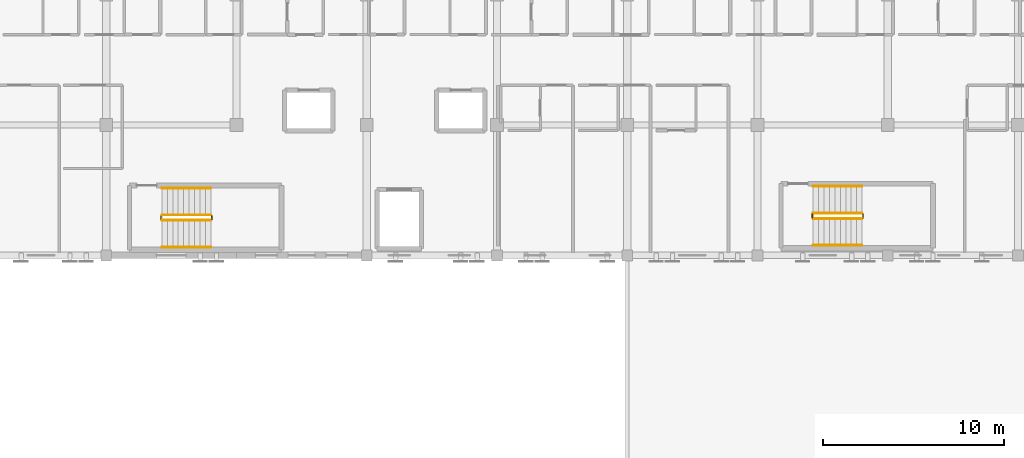
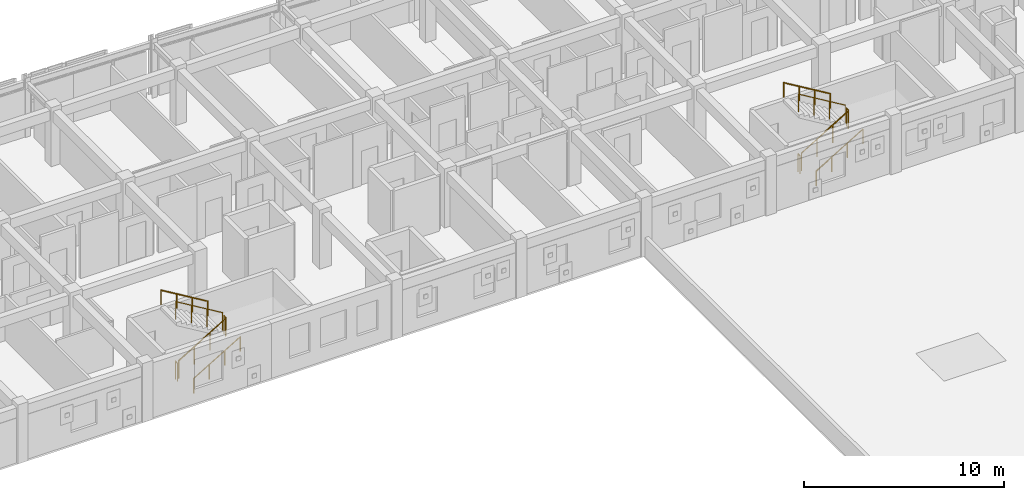
# One storey, part 50 of 50: 12 railings.
"""IFC4 building model written with IfcOpenShell, lengths in metres."""

from ifc_helpers import new_model, si_unit, direction, frame, origin, origin_2d, place, context, subcontext, project, spatial, circle, extrude, material, layer, layer_set, type_object, element, save


model = new_model("IFC4")

# Units and contexts
model_context = context("Model", 3, precision=1e-05, world=origin(), true_north=direction((0.0, 1.0)))
body_context = subcontext(model_context, "Body", "Model", "MODEL_VIEW")
ifc_project = project(units=[si_unit("LENGTHUNIT", "METRE"), si_unit("AREAUNIT", "SQUARE_METRE"), si_unit("VOLUMEUNIT", "CUBIC_METRE"), si_unit("PLANEANGLEUNIT", "RADIAN"), si_unit("MASSUNIT", "GRAM", prefix="KILO")], contexts=[model_context])

# Site, building, storey
site_placement = place(None, origin())
site = spatial("IfcSite", under=ifc_project, at=site_placement, CompositionType="ELEMENT")
building_placement = place(site_placement, origin())
building = spatial("IfcBuilding", under=site, at=building_placement, Name="Carrowvane Square Congress Hotel", CompositionType="ELEMENT")
storey_placement = place(building_placement, frame((0.0, 0.0, 22.800048828125)))
storey = spatial("IfcBuildingStorey", under=building, at=storey_placement, Name="L05", CompositionType="ELEMENT", Elevation=22.800048828125)

# Railings
ifc_material_1 = material(Name="Stainless steel 316", Category="steel")
ifc_layer_1 = layer(ifc_material_1, 0.048095703125)
ifc_layer_set_1 = layer_set([ifc_layer_1], Name="Stainless steel 316")
railing_type_1 = type_object("IfcRailingType", Name="RLG-HR-900", PredefinedType="HANDRAIL", material=ifc_layer_set_1)
railing_1_placement = place(storey_placement, frame((101.080078125, 92.25, 0.179931640625)))
element("IfcRailing", 1, at=railing_1_placement, inside=storey, type_object=railing_type_1, Name="L05 ST3 stair handrail 1", PredefinedType="HANDRAIL", context=body_context, shape_type="SweptSolid", body=[
    extrude(circle(Radius=0.02392578125, at=origin_2d()), frame((0.0, 0.0, 0.8759765625), z_axis=(0.857472400752, 0.0, 0.514529962148), x_axis=(0.0, 1.0, 0.0)), (0.0, 0.0, 1.0), 3.148681640625),
    extrude(circle(Radius=0.02099609375, at=origin_2d()), origin(), (0.0, 0.0, 1.0), 0.851806640625),
    extrude(circle(Radius=0.02099609375, at=origin_2d()), frame((0.89990234375, 0.0, 0.5400390625)), (0.0, 0.0, 1.0), 0.851806640625),
    extrude(circle(Radius=0.02099609375, at=origin_2d()), frame((1.800048828125, 0.0, 1.080078125)), (0.0, 0.0, 1.0), 0.851806640625),
    extrude(circle(Radius=0.02099609375, at=origin_2d()), frame((2.699951171875, 0.0, 1.6201171875)), (0.0, 0.0, 1.0), 0.851806640625),
])
railing_2_placement = place(storey_placement, frame((103.780029296875, 95.510009765625, 1.97998046875)))
element("IfcRailing", 2, at=railing_2_placement, inside=storey, type_object=railing_type_1, Name="L05 ST3 stair handrail 2", PredefinedType="HANDRAIL", context=body_context, shape_type="SweptSolid", body=[
    extrude(circle(Radius=0.02392578125, at=origin_2d()), frame((0.0, 0.0, 0.8759765625), z_axis=(-0.857506608807, 0.0, 0.514472949583), x_axis=(0.0, -1.0, 0.0)), (0.0, 0.0, 1.0), 3.148681640625),
    extrude(circle(Radius=0.02099609375, at=origin_2d()), origin(), (0.0, 0.0, 1.0), 0.851806640625),
    extrude(circle(Radius=0.02099609375, at=origin_2d()), frame((-0.89990234375, 0.0, 0.5400390625)), (0.0, 0.0, 1.0), 0.851806640625),
    extrude(circle(Radius=0.02099609375, at=origin_2d()), frame((-1.800048828125, 0.0, 1.079833984375)), (0.0, 0.0, 1.0), 0.851806640625),
    extrude(circle(Radius=0.02099609375, at=origin_2d()), frame((-2.699951171875, 0.0, 1.619873046875)), (0.0, 0.0, 1.0), 0.851806640625),
])
railing_3_placement = place(storey_placement, frame((137.080078125, 92.35009765625, 0.179931640625)))
element("IfcRailing", 3, at=railing_3_placement, inside=storey, type_object=railing_type_1, Name="L05 ST12 stair handrail 1", PredefinedType="HANDRAIL", context=body_context, shape_type="SweptSolid", body=[
    extrude(circle(Radius=0.02392578125, at=origin_2d()), frame((0.0, 0.0, 0.8759765625), z_axis=(0.857472400752, 0.0, 0.514529962148), x_axis=(0.0, 1.0, 0.0)), (0.0, 0.0, 1.0), 3.148681640625),
    extrude(circle(Radius=0.02099609375, at=origin_2d()), origin(), (0.0, 0.0, 1.0), 0.851806640625),
    extrude(circle(Radius=0.02099609375, at=origin_2d()), frame((0.89990234375, 0.0, 0.5400390625)), (0.0, 0.0, 1.0), 0.851806640625),
    extrude(circle(Radius=0.02099609375, at=origin_2d()), frame((1.800048828125, 0.0, 1.080078125)), (0.0, 0.0, 1.0), 0.851806640625),
    extrude(circle(Radius=0.02099609375, at=origin_2d()), frame((2.699951171875, 0.0, 1.6201171875)), (0.0, 0.0, 1.0), 0.851806640625),
])
railing_4_placement = place(storey_placement, frame((139.780029296875, 95.610107421875, 1.97998046875)))
element("IfcRailing", 4, at=railing_4_placement, inside=storey, type_object=railing_type_1, Name="L05 ST12 stair handrail 2", PredefinedType="HANDRAIL", context=body_context, shape_type="SweptSolid", body=[
    extrude(circle(Radius=0.02392578125, at=origin_2d()), frame((0.0, 0.0, 0.8759765625), z_axis=(-0.857506608807, 0.0, 0.514472949583), x_axis=(0.0, -1.0, 0.0)), (0.0, 0.0, 1.0), 3.148681640625),
    extrude(circle(Radius=0.02099609375, at=origin_2d()), origin(), (0.0, 0.0, 1.0), 0.851806640625),
    extrude(circle(Radius=0.02099609375, at=origin_2d()), frame((-0.89990234375, 0.0, 0.5400390625)), (0.0, 0.0, 1.0), 0.851806640625),
    extrude(circle(Radius=0.02099609375, at=origin_2d()), frame((-1.800048828125, 0.0, 1.079833984375)), (0.0, 0.0, 1.0), 0.851806640625),
    extrude(circle(Radius=0.02099609375, at=origin_2d()), frame((-2.699951171875, 0.0, 1.619873046875)), (0.0, 0.0, 1.0), 0.851806640625),
])
ifc_material_2 = material(Name="Galvanised steel", Category="steel")
ifc_layer_2 = layer(ifc_material_2, 0.048095703125)
ifc_layer_set_2 = layer_set([ifc_layer_2], Name="Galvanised steel")
railing_type_2 = type_object("IfcRailingType", Name="RLG-STG-1100", PredefinedType="GUARDRAIL", material=ifc_layer_set_2)
railing_5_placement = place(storey_placement, frame((101.080078125, 93.72998046875, 0.179931640625)))
element("IfcRailing", 5, at=railing_5_placement, inside=storey, type_object=railing_type_2, Name="L05 ST3 stair guard 1", PredefinedType="GUARDRAIL", context=body_context, shape_type="SweptSolid", body=[
    extrude(circle(Radius=0.02392578125, at=origin_2d()), frame((0.0, 0.0, 1.076171875), z_axis=(0.857472400752, 0.0, 0.514529962148), x_axis=(0.0, 1.0, 0.0)), (0.0, 0.0, 1.0), 3.148681640625),
    extrude(circle(Radius=0.02099609375, at=origin_2d()), origin(), (0.0, 0.0, 1.0), 1.052001953125),
    extrude(circle(Radius=0.02099609375, at=origin_2d()), frame((0.89990234375, 0.0, 0.5400390625)), (0.0, 0.0, 1.0), 1.052001953125),
    extrude(circle(Radius=0.02099609375, at=origin_2d()), frame((1.800048828125, 0.0, 1.080078125)), (0.0, 0.0, 1.0), 1.052001953125),
    extrude(circle(Radius=0.02099609375, at=origin_2d()), frame((2.699951171875, 0.0, 1.6201171875)), (0.0, 0.0, 1.0), 1.052001953125),
])
railing_6_placement = place(storey_placement, frame((103.830078125, 93.780029296875, 1.800048828125)))
element("IfcRailing", 6, at=railing_6_placement, inside=storey, type_object=railing_type_2, Name="L05 ST3 stair guard 2", PredefinedType="GUARDRAIL", context=body_context, shape_type="SweptSolid", body=[
    extrude(circle(Radius=0.02392578125, at=origin_2d()), frame((0.0, 0.0, 1.076171875), z_axis=(0.0, 1.0, 0.0), x_axis=(-1.0, 0.0, 0.0)), (0.0, 0.0, 1.0), 0.199951171875),
    extrude(circle(Radius=0.02099609375, at=origin_2d()), origin(), (0.0, 0.0, 1.0), 1.052001953125),
    extrude(circle(Radius=0.02099609375, at=origin_2d()), frame((0.0, 0.199951171875, 0.0)), (0.0, 0.0, 1.0), 1.052001953125),
])
railing_7_placement = place(storey_placement, frame((103.780029296875, 94.030029296875, 1.97998046875)))
element("IfcRailing", 7, at=railing_7_placement, inside=storey, type_object=railing_type_2, Name="L05 ST3 stair guard 3", PredefinedType="GUARDRAIL", context=body_context, shape_type="SweptSolid", body=[
    extrude(circle(Radius=0.02392578125, at=origin_2d()), frame((0.0, 0.0, 1.076171875), z_axis=(-0.857506608807, 0.0, 0.514472949583), x_axis=(0.0, -1.0, 0.0)), (0.0, 0.0, 1.0), 3.148681640625),
    extrude(circle(Radius=0.02099609375, at=origin_2d()), origin(), (0.0, 0.0, 1.0), 1.052001953125),
    extrude(circle(Radius=0.02099609375, at=origin_2d()), frame((-0.89990234375, 0.0, 0.5400390625)), (0.0, 0.0, 1.0), 1.052001953125),
    extrude(circle(Radius=0.02099609375, at=origin_2d()), frame((-1.800048828125, 0.0, 1.079833984375)), (0.0, 0.0, 1.0), 1.052001953125),
    extrude(circle(Radius=0.02099609375, at=origin_2d()), frame((-2.699951171875, 0.0, 1.619873046875)), (0.0, 0.0, 1.0), 1.052001953125),
])
railing_8_placement = place(storey_placement, frame((101.030029296875, 93.780029296875, 0.0)))
element("IfcRailing", 8, at=railing_8_placement, inside=storey, type_object=railing_type_2, Name="L05 ST3 stair guard 4", PredefinedType="GUARDRAIL", context=body_context, shape_type="SweptSolid", body=[
    extrude(circle(Radius=0.02392578125, at=origin_2d()), frame((0.0, 0.0, 1.076171875), z_axis=(0.0, 1.0, 0.0), x_axis=(-1.0, 0.0, 0.0)), (0.0, 0.0, 1.0), 0.199951171875),
    extrude(circle(Radius=0.02099609375, at=origin_2d()), origin(), (0.0, 0.0, 1.0), 1.052001953125),
    extrude(circle(Radius=0.02099609375, at=origin_2d()), frame((0.0, 0.199951171875, 0.0)), (0.0, 0.0, 1.0), 1.052001953125),
])
railing_9_placement = place(storey_placement, frame((137.080078125, 93.830078125, 0.179931640625)))
element("IfcRailing", 9, at=railing_9_placement, inside=storey, type_object=railing_type_2, Name="L05 ST12 stair guard 1", PredefinedType="GUARDRAIL", context=body_context, shape_type="SweptSolid", body=[
    extrude(circle(Radius=0.02392578125, at=origin_2d()), frame((0.0, 0.0, 1.076171875), z_axis=(0.857472400752, 0.0, 0.514529962148), x_axis=(0.0, 1.0, 0.0)), (0.0, 0.0, 1.0), 3.148681640625),
    extrude(circle(Radius=0.02099609375, at=origin_2d()), origin(), (0.0, 0.0, 1.0), 1.052001953125),
    extrude(circle(Radius=0.02099609375, at=origin_2d()), frame((0.89990234375, 0.0, 0.5400390625)), (0.0, 0.0, 1.0), 1.052001953125),
    extrude(circle(Radius=0.02099609375, at=origin_2d()), frame((1.800048828125, 0.0, 1.080078125)), (0.0, 0.0, 1.0), 1.052001953125),
    extrude(circle(Radius=0.02099609375, at=origin_2d()), frame((2.699951171875, 0.0, 1.6201171875)), (0.0, 0.0, 1.0), 1.052001953125),
])
railing_10_placement = place(storey_placement, frame((139.830078125, 93.8798828125, 1.800048828125)))
element("IfcRailing", 10, at=railing_10_placement, inside=storey, type_object=railing_type_2, Name="L05 ST12 stair guard 2", PredefinedType="GUARDRAIL", context=body_context, shape_type="SweptSolid", body=[
    extrude(circle(Radius=0.02392578125, at=origin_2d()), frame((0.0, 0.0, 1.076171875), z_axis=(0.0, 1.0, 0.0), x_axis=(-1.0, 0.0, 0.0)), (0.0, 0.0, 1.0), 0.2001953125),
    extrude(circle(Radius=0.02099609375, at=origin_2d()), origin(), (0.0, 0.0, 1.0), 1.052001953125),
    extrude(circle(Radius=0.02099609375, at=origin_2d()), frame((0.0, 0.2001953125, 0.0)), (0.0, 0.0, 1.0), 1.052001953125),
])
railing_11_placement = place(storey_placement, frame((139.780029296875, 94.1298828125, 1.97998046875)))
element("IfcRailing", 11, at=railing_11_placement, inside=storey, type_object=railing_type_2, Name="L05 ST12 stair guard 3", PredefinedType="GUARDRAIL", context=body_context, shape_type="SweptSolid", body=[
    extrude(circle(Radius=0.02392578125, at=origin_2d()), frame((0.0, 0.0, 1.076171875), z_axis=(-0.857506608807, 0.0, 0.514472949583), x_axis=(0.0, -1.0, 0.0)), (0.0, 0.0, 1.0), 3.148681640625),
    extrude(circle(Radius=0.02099609375, at=origin_2d()), origin(), (0.0, 0.0, 1.0), 1.052001953125),
    extrude(circle(Radius=0.02099609375, at=origin_2d()), frame((-0.89990234375, 0.0, 0.5400390625)), (0.0, 0.0, 1.0), 1.052001953125),
    extrude(circle(Radius=0.02099609375, at=origin_2d()), frame((-1.800048828125, 0.0, 1.079833984375)), (0.0, 0.0, 1.0), 1.052001953125),
    extrude(circle(Radius=0.02099609375, at=origin_2d()), frame((-2.699951171875, 0.0, 1.619873046875)), (0.0, 0.0, 1.0), 1.052001953125),
])
railing_12_placement = place(storey_placement, frame((137.030029296875, 93.8798828125, 0.0)))
element("IfcRailing", 12, at=railing_12_placement, inside=storey, type_object=railing_type_2, Name="L05 ST12 stair guard 4", PredefinedType="GUARDRAIL", context=body_context, shape_type="SweptSolid", body=[
    extrude(circle(Radius=0.02392578125, at=origin_2d()), frame((0.0, 0.0, 1.076171875), z_axis=(0.0, 1.0, 0.0), x_axis=(-1.0, 0.0, 0.0)), (0.0, 0.0, 1.0), 0.2001953125),
    extrude(circle(Radius=0.02099609375, at=origin_2d()), origin(), (0.0, 0.0, 1.0), 1.052001953125),
    extrude(circle(Radius=0.02099609375, at=origin_2d()), frame((0.0, 0.2001953125, 0.0)), (0.0, 0.0, 1.0), 1.052001953125),
])

save(model, "model.ifc")
